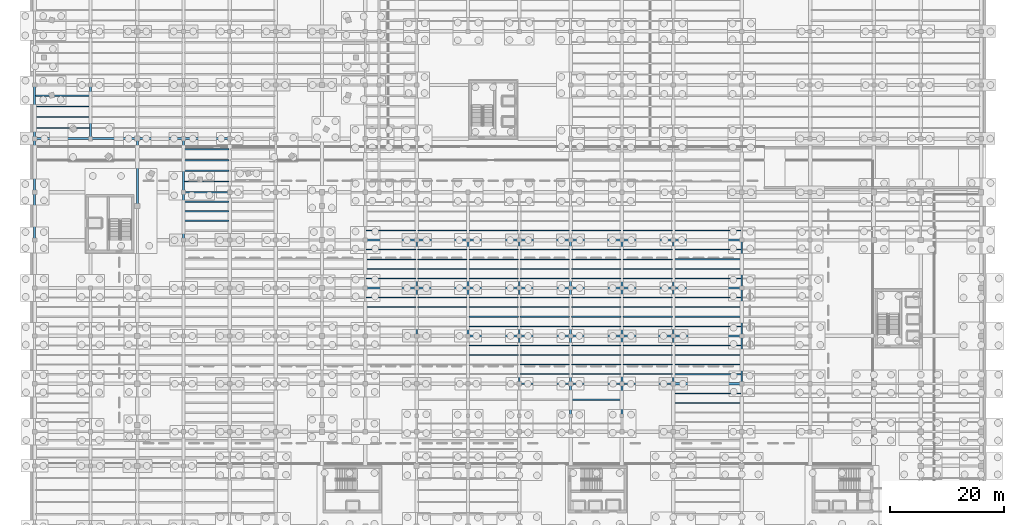
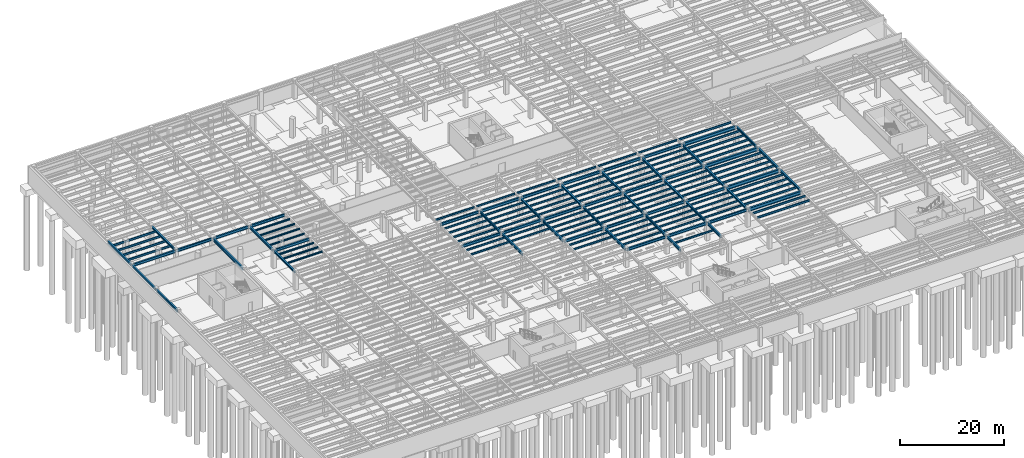
# One storey, part 22 of 49: 147 beams.
"""IFC4 building model written with IfcOpenShell, lengths in metres."""

from ifc_helpers import new_model, si_unit, direction, frame, origin, origin_2d, place, context, subcontext, project, spatial, i_section, extrude, material, material_profile, profile_set, type_object, element, save


model = new_model("IFC4")

# Units and contexts
model_context = context("Model", 3, precision=1e-05, world=origin(), true_north=direction((0.0, 1.0)))
body_context = subcontext(model_context, "Body", "Model", "MODEL_VIEW")
ifc_project = project(units=[si_unit("LENGTHUNIT", "METRE"), si_unit("AREAUNIT", "SQUARE_METRE"), si_unit("VOLUMEUNIT", "CUBIC_METRE"), si_unit("PLANEANGLEUNIT", "RADIAN"), si_unit("MASSUNIT", "GRAM", prefix="KILO")], contexts=[model_context])

# Site, building, storey
site_placement = place(None, origin())
site = spatial("IfcSite", under=ifc_project, at=site_placement, CompositionType="ELEMENT")
building_placement = place(site_placement, origin())
building = spatial("IfcBuilding", under=site, at=building_placement, Name="Sollismere Congress Hotel", CompositionType="ELEMENT")
storey_placement = place(building_placement, frame((0.0, 0.0, -4.5)))
storey = spatial("IfcBuildingStorey", under=building, at=storey_placement, Name="B1", CompositionType="ELEMENT", Elevation=-4.5)

# Beams
ifc_material = material(Name="Steel ASTM A992 Grade 50", Category="steel")
ifc_material_profile_1 = material_profile(ifc_material, i_section(OverallWidth=0.31494140625, OverallDepth=0.551025390625, WebThickness=0.01513671875, FlangeThickness=0.0244140625, at=origin_2d()), Name="W21X122")
ifc_profile_set_1 = profile_set([ifc_material_profile_1], Name="Steel ASTM A992 Grade 50")
beam_type_1 = type_object("IfcBeamType", Name="BM-G21H", PredefinedType="BEAM", material=ifc_profile_set_1)
beam_1_placement = place(storey_placement, frame((9.800048828125, 76.340087890625, 3.924560546875), z_axis=(0.0, 1.0, 0.0), x_axis=(-1.0, 0.0, 0.0)))
element("IfcBeam", 1, at=beam_1_placement, inside=storey, type_object=beam_type_1, Name="Beam BM-B1-0252", PredefinedType="BEAM", context=body_context, shape_type="SweptSolid", body=[
    extrude(i_section(OverallWidth=0.31494140625, OverallDepth=0.551025390625, WebThickness=0.01513671875, FlangeThickness=0.0244140625, at=origin_2d()), origin(), (0.0, 0.0, 1.0), 9.119873046875),
])
beam_2_placement = place(storey_placement, frame((26.10009765625, 58.5400390625, 3.924560546875), z_axis=(0.0, 1.0, 0.0), x_axis=(-1.0, 0.0, 0.0)))
element("IfcBeam", 2, at=beam_2_placement, inside=storey, type_object=beam_type_1, Name="Beam BM-B1-0275", PredefinedType="BEAM", context=body_context, shape_type="SweptSolid", body=[
    extrude(i_section(OverallWidth=0.31494140625, OverallDepth=0.551025390625, WebThickness=0.01513671875, FlangeThickness=0.0244140625, at=origin_2d()), origin(), (0.0, 0.0, 1.0), 8.119873046875),
])
beam_3_placement = place(storey_placement, frame((26.10009765625, 66.93994140625, 3.924560546875), z_axis=(0.0, 1.0, 0.0), x_axis=(-1.0, 0.0, 0.0)))
element("IfcBeam", 3, at=beam_3_placement, inside=storey, type_object=beam_type_1, Name="Beam BM-B1-0276", PredefinedType="BEAM", context=body_context, shape_type="SweptSolid", body=[
    extrude(i_section(OverallWidth=0.31494140625, OverallDepth=0.551025390625, WebThickness=0.01513671875, FlangeThickness=0.0244140625, at=origin_2d()), origin(), (0.0, 0.0, 1.0), 9.1201171875),
])
for number, where, z_axis, x_axis, name in (
    (4, (67.0, 41.739990234375, 3.924560546875), (0.0, 1.0, 0.0), (-1.0, 0.0, 0.0), "Beam BM-B1-0337"),
    (5, (67.0, 50.139892578125, 3.924560546875), (0.0, 1.0, 0.0), (-1.0, 0.0, 0.0), "Beam BM-B1-0338"),
    (6, (76.0, 41.739990234375, 3.924560546875), (0.0, 1.0, 0.0), (-1.0, 0.0, 0.0), "Beam BM-B1-0352"),
    (7, (76.0, 50.139892578125, 3.924560546875), (0.0, 1.0, 0.0), (-1.0, 0.0, 0.0), "Beam BM-B1-0353"),
):
    element("IfcBeam", number, at=place(storey_placement, frame(where, z_axis=z_axis, x_axis=x_axis)), inside=storey, type_object=beam_type_1, Name=name, PredefinedType="BEAM", context=body_context, shape_type="SweptSolid", body=[
        extrude(i_section(OverallWidth=0.31494140625, OverallDepth=0.551025390625, WebThickness=0.01513671875, FlangeThickness=0.0244140625, at=origin_2d()), origin(), (0.0, 0.0, 1.0), 8.1201171875),
    ])
beam_4_placement = place(storey_placement, frame((85.0, 33.340087890625, 3.924560546875), z_axis=(0.0, 1.0, 0.0), x_axis=(-1.0, 0.0, 0.0)))
element("IfcBeam", 8, at=beam_4_placement, inside=storey, type_object=beam_type_1, Name="Beam BM-B1-0363", PredefinedType="BEAM", context=body_context, shape_type="SweptSolid", body=[
    extrude(i_section(OverallWidth=0.31494140625, OverallDepth=0.551025390625, WebThickness=0.01513671875, FlangeThickness=0.0244140625, at=origin_2d()), origin(), (0.0, 0.0, 1.0), 8.119873046875),
])
for number, where, z_axis, x_axis, name in (
    (9, (85.0, 41.739990234375, 3.924560546875), (0.0, 1.0, 0.0), (-1.0, 0.0, 0.0), "Beam BM-B1-0364"),
    (10, (85.0, 50.139892578125, 3.924560546875), (0.0, 1.0, 0.0), (-1.0, 0.0, 0.0), "Beam BM-B1-0365"),
):
    element("IfcBeam", number, at=place(storey_placement, frame(where, z_axis=z_axis, x_axis=x_axis)), inside=storey, type_object=beam_type_1, Name=name, PredefinedType="BEAM", context=body_context, shape_type="SweptSolid", body=[
        extrude(i_section(OverallWidth=0.31494140625, OverallDepth=0.551025390625, WebThickness=0.01513671875, FlangeThickness=0.0244140625, at=origin_2d()), origin(), (0.0, 0.0, 1.0), 8.1201171875),
    ])
beam_5_placement = place(storey_placement, frame((94.0, 27.739990234375, 3.924560546875), z_axis=(0.0, 1.0, 0.0), x_axis=(-1.0, 0.0, 0.0)))
element("IfcBeam", 11, at=beam_5_placement, inside=storey, type_object=beam_type_1, Name="Beam BM-B1-0372", PredefinedType="BEAM", context=body_context, shape_type="SweptSolid", body=[
    extrude(i_section(OverallWidth=0.31494140625, OverallDepth=0.551025390625, WebThickness=0.01513671875, FlangeThickness=0.0244140625, at=origin_2d()), origin(), (0.0, 0.0, 1.0), 5.320068359375),
])
beam_6_placement = place(storey_placement, frame((94.0, 33.340087890625, 3.924560546875), z_axis=(0.0, 1.0, 0.0), x_axis=(-1.0, 0.0, 0.0)))
element("IfcBeam", 12, at=beam_6_placement, inside=storey, type_object=beam_type_1, Name="Beam BM-B1-0373", PredefinedType="BEAM", context=body_context, shape_type="SweptSolid", body=[
    extrude(i_section(OverallWidth=0.31494140625, OverallDepth=0.551025390625, WebThickness=0.01513671875, FlangeThickness=0.0244140625, at=origin_2d()), origin(), (0.0, 0.0, 1.0), 8.119873046875),
])
for number, where, z_axis, x_axis, name in (
    (13, (94.0, 41.739990234375, 3.924560546875), (0.0, 1.0, 0.0), (-1.0, 0.0, 0.0), "Beam BM-B1-0374"),
    (14, (94.0, 50.139892578125, 3.924560546875), (0.0, 1.0, 0.0), (-1.0, 0.0, 0.0), "Beam BM-B1-0375"),
):
    element("IfcBeam", number, at=place(storey_placement, frame(where, z_axis=z_axis, x_axis=x_axis)), inside=storey, type_object=beam_type_1, Name=name, PredefinedType="BEAM", context=body_context, shape_type="SweptSolid", body=[
        extrude(i_section(OverallWidth=0.31494140625, OverallDepth=0.551025390625, WebThickness=0.01513671875, FlangeThickness=0.0244140625, at=origin_2d()), origin(), (0.0, 0.0, 1.0), 8.1201171875),
    ])
beam_7_placement = place(storey_placement, frame((103.0, 27.739990234375, 3.924560546875), z_axis=(0.0, 1.0, 0.0), x_axis=(-1.0, 0.0, 0.0)))
element("IfcBeam", 15, at=beam_7_placement, inside=storey, type_object=beam_type_1, Name="Beam BM-B1-0385", PredefinedType="BEAM", context=body_context, shape_type="SweptSolid", body=[
    extrude(i_section(OverallWidth=0.31494140625, OverallDepth=0.551025390625, WebThickness=0.01513671875, FlangeThickness=0.0244140625, at=origin_2d()), origin(), (0.0, 0.0, 1.0), 5.320068359375),
])
beam_8_placement = place(storey_placement, frame((103.0, 33.340087890625, 3.924560546875), z_axis=(0.0, 1.0, 0.0), x_axis=(-1.0, 0.0, 0.0)))
element("IfcBeam", 16, at=beam_8_placement, inside=storey, type_object=beam_type_1, Name="Beam BM-B1-0386", PredefinedType="BEAM", context=body_context, shape_type="SweptSolid", body=[
    extrude(i_section(OverallWidth=0.31494140625, OverallDepth=0.551025390625, WebThickness=0.01513671875, FlangeThickness=0.0244140625, at=origin_2d()), origin(), (0.0, 0.0, 1.0), 8.119873046875),
])
for number, where, z_axis, x_axis, name in (
    (17, (103.0, 41.739990234375, 3.924560546875), (0.0, 1.0, 0.0), (-1.0, 0.0, 0.0), "Beam BM-B1-0387"),
    (18, (103.0, 50.139892578125, 3.924560546875), (0.0, 1.0, 0.0), (-1.0, 0.0, 0.0), "Beam BM-B1-0388"),
):
    element("IfcBeam", number, at=place(storey_placement, frame(where, z_axis=z_axis, x_axis=x_axis)), inside=storey, type_object=beam_type_1, Name=name, PredefinedType="BEAM", context=body_context, shape_type="SweptSolid", body=[
        extrude(i_section(OverallWidth=0.31494140625, OverallDepth=0.551025390625, WebThickness=0.01513671875, FlangeThickness=0.0244140625, at=origin_2d()), origin(), (0.0, 0.0, 1.0), 8.1201171875),
    ])
beam_9_placement = place(storey_placement, frame((112.0, 33.340087890625, 3.924560546875), z_axis=(0.0, 1.0, 0.0), x_axis=(-1.0, 0.0, 0.0)))
element("IfcBeam", 19, at=beam_9_placement, inside=storey, type_object=beam_type_1, Name="Beam BM-B1-0399", PredefinedType="BEAM", context=body_context, shape_type="SweptSolid", body=[
    extrude(i_section(OverallWidth=0.31494140625, OverallDepth=0.551025390625, WebThickness=0.01513671875, FlangeThickness=0.0244140625, at=origin_2d()), origin(), (0.0, 0.0, 1.0), 8.119873046875),
])
for number, where, z_axis, x_axis, name in (
    (20, (112.0, 41.739990234375, 3.924560546875), (0.0, 1.0, 0.0), (-1.0, 0.0, 0.0), "Beam BM-B1-0400"),
    (21, (112.0, 50.139892578125, 3.924560546875), (0.0, 1.0, 0.0), (-1.0, 0.0, 0.0), "Beam BM-B1-0401"),
):
    element("IfcBeam", number, at=place(storey_placement, frame(where, z_axis=z_axis, x_axis=x_axis)), inside=storey, type_object=beam_type_1, Name=name, PredefinedType="BEAM", context=body_context, shape_type="SweptSolid", body=[
        extrude(i_section(OverallWidth=0.31494140625, OverallDepth=0.551025390625, WebThickness=0.01513671875, FlangeThickness=0.0244140625, at=origin_2d()), origin(), (0.0, 0.0, 1.0), 8.1201171875),
    ])
beam_10_placement = place(storey_placement, frame((124.0, 33.340087890625, 3.924560546875), z_axis=(0.0, 1.0, 0.0), x_axis=(-1.0, 0.0, 0.0)))
element("IfcBeam", 22, at=beam_10_placement, inside=storey, type_object=beam_type_1, Name="Beam BM-B1-0412", PredefinedType="BEAM", context=body_context, shape_type="SweptSolid", body=[
    extrude(i_section(OverallWidth=0.31494140625, OverallDepth=0.551025390625, WebThickness=0.01513671875, FlangeThickness=0.0244140625, at=origin_2d()), origin(), (0.0, 0.0, 1.0), 8.119873046875),
])
for number, where, z_axis, x_axis, name in (
    (23, (124.0, 41.739990234375, 3.924560546875), (0.0, 1.0, 0.0), (-1.0, 0.0, 0.0), "Beam BM-B1-0413"),
    (24, (124.0, 50.139892578125, 3.924560546875), (0.0, 1.0, 0.0), (-1.0, 0.0, 0.0), "Beam BM-B1-0414"),
):
    element("IfcBeam", number, at=place(storey_placement, frame(where, z_axis=z_axis, x_axis=x_axis)), inside=storey, type_object=beam_type_1, Name=name, PredefinedType="BEAM", context=body_context, shape_type="SweptSolid", body=[
        extrude(i_section(OverallWidth=0.31494140625, OverallDepth=0.551025390625, WebThickness=0.01513671875, FlangeThickness=0.0244140625, at=origin_2d()), origin(), (0.0, 0.0, 1.0), 8.1201171875),
    ])
ifc_material_profile_2 = material_profile(ifc_material, i_section(OverallWidth=0.324951171875, OverallDepth=0.612060546875, WebThickness=0.0126953125, FlangeThickness=0.01904296875, at=origin_2d()), Name="W24X104")
ifc_profile_set_2 = profile_set([ifc_material_profile_2], Name="Steel ASTM A992 Grade 50")
beam_type_2 = type_object("IfcBeamType", Name="BM-G24", PredefinedType="BEAM", material=ifc_profile_set_2)
for number, where, z_axis, x_axis, name in (
    (25, (85.139892578125, 33.199951171875, 3.89404296875), (1.0, 0.0, 0.0), (0.0, 1.0, 0.0), "Beam BM-B1-0074"),
    (26, (94.139892578125, 33.199951171875, 3.89404296875), (1.0, 0.0, 0.0), (0.0, 1.0, 0.0), "Beam BM-B1-0075"),
    (27, (103.139892578125, 33.199951171875, 3.89404296875), (1.0, 0.0, 0.0), (0.0, 1.0, 0.0), "Beam BM-B1-0076"),
    (28, (76.139892578125, 41.60009765625, 3.89404296875), (1.0, 0.0, 0.0), (0.0, 1.0, 0.0), "Beam BM-B1-0091"),
    (29, (85.139892578125, 41.60009765625, 3.89404296875), (1.0, 0.0, 0.0), (0.0, 1.0, 0.0), "Beam BM-B1-0092"),
    (30, (94.139892578125, 41.60009765625, 3.89404296875), (1.0, 0.0, 0.0), (0.0, 1.0, 0.0), "Beam BM-B1-0093"),
    (31, (103.139892578125, 41.60009765625, 3.89404296875), (1.0, 0.0, 0.0), (0.0, 1.0, 0.0), "Beam BM-B1-0094"),
    (32, (58.139892578125, 50.0, 3.89404296875), (1.0, 0.0, 0.0), (0.0, 1.0, 0.0), "Beam BM-B1-0104"),
    (33, (67.139892578125, 50.0, 3.89404296875), (1.0, 0.0, 0.0), (0.0, 1.0, 0.0), "Beam BM-B1-0105"),
    (34, (76.139892578125, 50.0, 3.89404296875), (1.0, 0.0, 0.0), (0.0, 1.0, 0.0), "Beam BM-B1-0106"),
    (35, (85.139892578125, 50.0, 3.89404296875), (1.0, 0.0, 0.0), (0.0, 1.0, 0.0), "Beam BM-B1-0107"),
    (36, (94.139892578125, 50.0, 3.89404296875), (1.0, 0.0, 0.0), (0.0, 1.0, 0.0), "Beam BM-B1-0108"),
    (37, (103.139892578125, 50.0, 3.89404296875), (1.0, 0.0, 0.0), (0.0, 1.0, 0.0), "Beam BM-B1-0109"),
    (38, (58.139892578125, 58.39990234375, 3.89404296875), (1.0, 0.0, 0.0), (0.0, 1.0, 0.0), "Beam BM-B1-0116"),
    (39, (67.139892578125, 58.39990234375, 3.89404296875), (1.0, 0.0, 0.0), (0.0, 1.0, 0.0), "Beam BM-B1-0117"),
    (40, (76.139892578125, 58.39990234375, 3.89404296875), (1.0, 0.0, 0.0), (0.0, 1.0, 0.0), "Beam BM-B1-0118"),
    (41, (85.139892578125, 58.39990234375, 3.89404296875), (1.0, 0.0, 0.0), (0.0, 1.0, 0.0), "Beam BM-B1-0119"),
    (42, (94.139892578125, 58.39990234375, 3.89404296875), (1.0, 0.0, 0.0), (0.0, 1.0, 0.0), "Beam BM-B1-0120"),
    (43, (103.139892578125, 58.39990234375, 3.89404296875), (1.0, 0.0, 0.0), (0.0, 1.0, 0.0), "Beam BM-B1-0121"),
):
    element("IfcBeam", number, at=place(storey_placement, frame(where, z_axis=z_axis, x_axis=x_axis)), inside=storey, type_object=beam_type_2, Name=name, PredefinedType="BEAM", context=body_context, shape_type="SweptSolid", body=[
        extrude(i_section(OverallWidth=0.324951171875, OverallDepth=0.612060546875, WebThickness=0.0126953125, FlangeThickness=0.01904296875, at=origin_2d()), origin(), (0.0, 0.0, 1.0), 8.72021484375),
    ])
beam_11_placement = place(storey_placement, frame((26.239990234375, 66.800048828125, 3.89404296875), z_axis=(1.0, 0.0, 0.0), x_axis=(0.0, 1.0, 0.0)))
element("IfcBeam", 44, at=beam_11_placement, inside=storey, type_object=beam_type_2, Name="Beam BM-B1-0127", PredefinedType="BEAM", context=body_context, shape_type="SweptSolid", body=[
    extrude(i_section(OverallWidth=0.324951171875, OverallDepth=0.612060546875, WebThickness=0.0126953125, FlangeThickness=0.01904296875, at=origin_2d()), origin(), (0.0, 0.0, 1.0), 7.820068359375),
])
beam_12_placement = place(storey_placement, frame((0.139892578125, 76.199951171875, 3.89404296875), z_axis=(1.0, 0.0, 0.0), x_axis=(0.0, 1.0, 0.0)))
element("IfcBeam", 45, at=beam_12_placement, inside=storey, type_object=beam_type_2, Name="Beam BM-B1-0143", PredefinedType="BEAM", context=body_context, shape_type="SweptSolid", body=[
    extrude(i_section(OverallWidth=0.324951171875, OverallDepth=0.612060546875, WebThickness=0.0126953125, FlangeThickness=0.01904296875, at=origin_2d()), origin(), (0.0, 0.0, 1.0), 9.52001953125),
])
beam_13_placement = place(storey_placement, frame((9.93994140625, 76.199951171875, 3.89404296875), z_axis=(1.0, 0.0, 0.0), x_axis=(0.0, 1.0, 0.0)))
element("IfcBeam", 46, at=beam_13_placement, inside=storey, type_object=beam_type_2, Name="Beam BM-B1-0144", PredefinedType="BEAM", context=body_context, shape_type="SweptSolid", body=[
    extrude(i_section(OverallWidth=0.324951171875, OverallDepth=0.612060546875, WebThickness=0.0126953125, FlangeThickness=0.01904296875, at=origin_2d()), origin(), (0.0, 0.0, 1.0), 7.920166015625),
])
for number, where, z_axis, x_axis, name in (
    (47, (18.139892578125, 76.199951171875, 3.89404296875), (1.0, 0.0, 0.0), (0.0, 1.0, 0.0), "Beam BM-B1-0145"),
    (48, (26.239990234375, 76.199951171875, 3.89404296875), (1.0, 0.0, 0.0), (0.0, 1.0, 0.0), "Beam BM-B1-0146"),
):
    element("IfcBeam", number, at=place(storey_placement, frame(where, z_axis=z_axis, x_axis=x_axis)), inside=storey, type_object=beam_type_2, Name=name, PredefinedType="BEAM", context=body_context, shape_type="SweptSolid", body=[
        extrude(i_section(OverallWidth=0.324951171875, OverallDepth=0.612060546875, WebThickness=0.0126953125, FlangeThickness=0.01904296875, at=origin_2d()), origin(), (0.0, 0.0, 1.0), 7.820068359375),
    ])
ifc_material_profile_3 = material_profile(ifc_material, i_section(OverallWidth=0.35595703125, OverallDepth=0.696044921875, WebThickness=0.015380859375, FlangeThickness=0.025146484375, at=origin_2d()), Name="W27X146")
ifc_profile_set_3 = profile_set([ifc_material_profile_3], Name="Steel ASTM A992 Grade 50")
beam_type_3 = type_object("IfcBeamType", Name="BM-G27", PredefinedType="BEAM", material=ifc_profile_set_3)
beam_14_placement = place(storey_placement, frame((18.0, 64.5400390625, 3.85205078125), z_axis=(0.0, 1.0, 0.0), x_axis=(-1.0, 0.0, 0.0)))
element("IfcBeam", 49, at=beam_14_placement, inside=storey, type_object=beam_type_3, Name="Beam BM-B1-0263", PredefinedType="BEAM", context=body_context, shape_type="SweptSolid", body=[
    extrude(i_section(OverallWidth=0.35595703125, OverallDepth=0.696044921875, WebThickness=0.015380859375, FlangeThickness=0.025146484375, at=origin_2d()), origin(), (0.0, 0.0, 1.0), 11.52001953125),
])
ifc_material_profile_4 = material_profile(ifc_material, i_section(OverallWidth=0.384033203125, OverallDepth=0.787109375, WebThickness=0.019775390625, FlangeThickness=0.033447265625, at=origin_2d()), Name="W30X211")
ifc_profile_set_4 = profile_set([ifc_material_profile_4], Name="Steel ASTM A992 Grade 50")
beam_type_4 = type_object("IfcBeamType", Name="BM-G30", PredefinedType="BEAM", material=ifc_profile_set_4)
for number, where, z_axis, x_axis, name in (
    (50, (112.139892578125, 33.199951171875, 3.806396484375), (1.0, 0.0, 0.0), (0.0, 1.0, 0.0), "Beam BM-B1-0077"),
    (51, (112.139892578125, 41.60009765625, 3.806396484375), (1.0, 0.0, 0.0), (0.0, 1.0, 0.0), "Beam BM-B1-0095"),
    (52, (112.139892578125, 50.0, 3.806396484375), (1.0, 0.0, 0.0), (0.0, 1.0, 0.0), "Beam BM-B1-0110"),
    (53, (112.139892578125, 58.39990234375, 3.806396484375), (1.0, 0.0, 0.0), (0.0, 1.0, 0.0), "Beam BM-B1-0122"),
):
    element("IfcBeam", number, at=place(storey_placement, frame(where, z_axis=z_axis, x_axis=x_axis)), inside=storey, type_object=beam_type_4, Name=name, PredefinedType="BEAM", context=body_context, shape_type="SweptSolid", body=[
        extrude(i_section(OverallWidth=0.384033203125, OverallDepth=0.787109375, WebThickness=0.019775390625, FlangeThickness=0.033447265625, at=origin_2d()), origin(), (0.0, 0.0, 1.0), 11.72021484375),
    ])
ifc_material_profile_5 = material_profile(ifc_material, i_section(OverallWidth=0.25390625, OverallDepth=0.35595703125, WebThickness=0.010498046875, FlangeThickness=0.018310546875, at=origin_2d()), Name="W14X68")
ifc_profile_set_5 = profile_set([ifc_material_profile_5], Name="Steel ASTM A992 Grade 50")
beam_type_5 = type_object("IfcBeamType", Name="BM-J14", PredefinedType="JOIST", material=ifc_profile_set_5)
for number, where, z_axis, x_axis, name in (
    (54, (26.257568359375, 61.760009765625, 4.02197265625), (1.0, 0.0, 0.0), (0.0, 1.0, 0.0), "Beam BM-B1-0597"),
    (55, (26.257568359375, 63.43994140625, 4.02197265625), (1.0, 0.0, 0.0), (0.0, 1.0, 0.0), "Beam BM-B1-0598"),
    (56, (26.257568359375, 65.1201171875, 4.02197265625), (1.0, 0.0, 0.0), (0.0, 1.0, 0.0), "Beam BM-B1-0599"),
    (57, (26.257568359375, 68.679931640625, 4.02197265625), (1.0, 0.0, 0.0), (0.0, 1.0, 0.0), "Beam BM-B1-0600"),
    (58, (26.257568359375, 70.56005859375, 4.02197265625), (1.0, 0.0, 0.0), (0.0, 1.0, 0.0), "Beam BM-B1-0601"),
    (59, (26.257568359375, 72.43994140625, 4.02197265625), (1.0, 0.0, 0.0), (0.0, 1.0, 0.0), "Beam BM-B1-0602"),
    (60, (26.257568359375, 74.320068359375, 4.02197265625), (1.0, 0.0, 0.0), (0.0, 1.0, 0.0), "Beam BM-B1-0603"),
):
    element("IfcBeam", number, at=place(storey_placement, frame(where, z_axis=z_axis, x_axis=x_axis)), inside=storey, type_object=beam_type_5, Name=name, PredefinedType="JOIST", context=body_context, shape_type="SweptSolid", body=[
        extrude(i_section(OverallWidth=0.25390625, OverallDepth=0.35595703125, WebThickness=0.010498046875, FlangeThickness=0.018310546875, at=origin_2d()), origin(), (0.0, 0.0, 1.0), 7.784912109375),
    ])
ifc_material_profile_6 = material_profile(ifc_material, i_section(OverallWidth=0.180908203125, OverallDepth=0.4169921875, WebThickness=0.010986328125, FlangeThickness=0.018310546875, at=origin_2d()), Name="W16X57")
ifc_profile_set_6 = profile_set([ifc_material_profile_6], Name="Steel ASTM A992 Grade 50")
beam_type_6 = type_object("IfcBeamType", Name="BM-J16", PredefinedType="JOIST", material=ifc_profile_set_6)
for number, where, z_axis, x_axis, name in (
    (61, (58.157470703125, 46.639892578125, 3.991455078125), (1.0, 0.0, 0.0), (0.0, 1.0, 0.0), "Beam BM-B1-0721"),
    (62, (58.157470703125, 48.320068359375, 3.991455078125), (1.0, 0.0, 0.0), (0.0, 1.0, 0.0), "Beam BM-B1-0722"),
    (63, (58.157470703125, 51.679931640625, 3.991455078125), (1.0, 0.0, 0.0), (0.0, 1.0, 0.0), "Beam BM-B1-0723"),
    (64, (58.157470703125, 53.360107421875, 3.991455078125), (1.0, 0.0, 0.0), (0.0, 1.0, 0.0), "Beam BM-B1-0724"),
    (65, (58.157470703125, 55.0400390625, 3.991455078125), (1.0, 0.0, 0.0), (0.0, 1.0, 0.0), "Beam BM-B1-0725"),
    (66, (58.157470703125, 56.719970703125, 3.991455078125), (1.0, 0.0, 0.0), (0.0, 1.0, 0.0), "Beam BM-B1-0726"),
    (67, (58.157470703125, 60.080078125, 3.991455078125), (1.0, 0.0, 0.0), (0.0, 1.0, 0.0), "Beam BM-B1-0727"),
    (68, (67.157470703125, 46.639892578125, 3.991455078125), (1.0, 0.0, 0.0), (0.0, 1.0, 0.0), "Beam BM-B1-0782"),
    (69, (67.157470703125, 48.320068359375, 3.991455078125), (1.0, 0.0, 0.0), (0.0, 1.0, 0.0), "Beam BM-B1-0783"),
    (70, (67.157470703125, 51.679931640625, 3.991455078125), (1.0, 0.0, 0.0), (0.0, 1.0, 0.0), "Beam BM-B1-0784"),
    (71, (67.157470703125, 53.360107421875, 3.991455078125), (1.0, 0.0, 0.0), (0.0, 1.0, 0.0), "Beam BM-B1-0785"),
    (72, (67.157470703125, 55.0400390625, 3.991455078125), (1.0, 0.0, 0.0), (0.0, 1.0, 0.0), "Beam BM-B1-0786"),
    (73, (67.157470703125, 56.719970703125, 3.991455078125), (1.0, 0.0, 0.0), (0.0, 1.0, 0.0), "Beam BM-B1-0787"),
    (74, (67.157470703125, 60.080078125, 3.991455078125), (1.0, 0.0, 0.0), (0.0, 1.0, 0.0), "Beam BM-B1-0788"),
    (75, (76.157470703125, 38.239990234375, 3.991455078125), (1.0, 0.0, 0.0), (0.0, 1.0, 0.0), "Beam BM-B1-0815"),
    (76, (76.157470703125, 39.919921875, 3.991455078125), (1.0, 0.0, 0.0), (0.0, 1.0, 0.0), "Beam BM-B1-0816"),
    (77, (76.157470703125, 43.280029296875, 3.991455078125), (1.0, 0.0, 0.0), (0.0, 1.0, 0.0), "Beam BM-B1-0817"),
    (78, (76.157470703125, 44.9599609375, 3.991455078125), (1.0, 0.0, 0.0), (0.0, 1.0, 0.0), "Beam BM-B1-0818"),
    (79, (76.157470703125, 46.639892578125, 3.991455078125), (1.0, 0.0, 0.0), (0.0, 1.0, 0.0), "Beam BM-B1-0819"),
    (80, (76.157470703125, 48.320068359375, 3.991455078125), (1.0, 0.0, 0.0), (0.0, 1.0, 0.0), "Beam BM-B1-0820"),
    (81, (76.157470703125, 51.679931640625, 3.991455078125), (1.0, 0.0, 0.0), (0.0, 1.0, 0.0), "Beam BM-B1-0821"),
    (82, (76.157470703125, 53.360107421875, 3.991455078125), (1.0, 0.0, 0.0), (0.0, 1.0, 0.0), "Beam BM-B1-0822"),
    (83, (76.157470703125, 55.0400390625, 3.991455078125), (1.0, 0.0, 0.0), (0.0, 1.0, 0.0), "Beam BM-B1-0823"),
    (84, (76.157470703125, 56.719970703125, 3.991455078125), (1.0, 0.0, 0.0), (0.0, 1.0, 0.0), "Beam BM-B1-0824"),
    (85, (76.157470703125, 60.080078125, 3.991455078125), (1.0, 0.0, 0.0), (0.0, 1.0, 0.0), "Beam BM-B1-0825"),
    (86, (85.157470703125, 34.8798828125, 3.991455078125), (1.0, 0.0, 0.0), (0.0, 1.0, 0.0), "Beam BM-B1-0843"),
    (87, (85.157470703125, 36.56005859375, 3.991455078125), (1.0, 0.0, 0.0), (0.0, 1.0, 0.0), "Beam BM-B1-0844"),
    (88, (85.157470703125, 38.239990234375, 3.991455078125), (1.0, 0.0, 0.0), (0.0, 1.0, 0.0), "Beam BM-B1-0845"),
    (89, (85.157470703125, 39.919921875, 3.991455078125), (1.0, 0.0, 0.0), (0.0, 1.0, 0.0), "Beam BM-B1-0846"),
    (90, (85.157470703125, 43.280029296875, 3.991455078125), (1.0, 0.0, 0.0), (0.0, 1.0, 0.0), "Beam BM-B1-0847"),
    (91, (85.157470703125, 44.9599609375, 3.991455078125), (1.0, 0.0, 0.0), (0.0, 1.0, 0.0), "Beam BM-B1-0848"),
    (92, (85.157470703125, 46.639892578125, 3.991455078125), (1.0, 0.0, 0.0), (0.0, 1.0, 0.0), "Beam BM-B1-0849"),
    (93, (85.157470703125, 48.320068359375, 3.991455078125), (1.0, 0.0, 0.0), (0.0, 1.0, 0.0), "Beam BM-B1-0850"),
    (94, (85.157470703125, 51.679931640625, 3.991455078125), (1.0, 0.0, 0.0), (0.0, 1.0, 0.0), "Beam BM-B1-0851"),
    (95, (85.157470703125, 53.360107421875, 3.991455078125), (1.0, 0.0, 0.0), (0.0, 1.0, 0.0), "Beam BM-B1-0852"),
    (96, (85.157470703125, 55.0400390625, 3.991455078125), (1.0, 0.0, 0.0), (0.0, 1.0, 0.0), "Beam BM-B1-0853"),
    (97, (85.157470703125, 56.719970703125, 3.991455078125), (1.0, 0.0, 0.0), (0.0, 1.0, 0.0), "Beam BM-B1-0854"),
    (98, (85.157470703125, 60.080078125, 3.991455078125), (1.0, 0.0, 0.0), (0.0, 1.0, 0.0), "Beam BM-B1-0855"),
    (99, (94.157470703125, 30.39990234375, 3.991455078125), (1.0, 0.0, 0.0), (0.0, 1.0, 0.0), "Beam BM-B1-0872"),
    (100, (94.157470703125, 34.8798828125, 3.991455078125), (1.0, 0.0, 0.0), (0.0, 1.0, 0.0), "Beam BM-B1-0873"),
    (101, (94.157470703125, 36.56005859375, 3.991455078125), (1.0, 0.0, 0.0), (0.0, 1.0, 0.0), "Beam BM-B1-0874"),
    (102, (94.157470703125, 38.239990234375, 3.991455078125), (1.0, 0.0, 0.0), (0.0, 1.0, 0.0), "Beam BM-B1-0875"),
    (103, (94.157470703125, 39.919921875, 3.991455078125), (1.0, 0.0, 0.0), (0.0, 1.0, 0.0), "Beam BM-B1-0876"),
    (104, (94.157470703125, 43.280029296875, 3.991455078125), (1.0, 0.0, 0.0), (0.0, 1.0, 0.0), "Beam BM-B1-0877"),
    (105, (94.157470703125, 44.9599609375, 3.991455078125), (1.0, 0.0, 0.0), (0.0, 1.0, 0.0), "Beam BM-B1-0878"),
    (106, (94.157470703125, 46.639892578125, 3.991455078125), (1.0, 0.0, 0.0), (0.0, 1.0, 0.0), "Beam BM-B1-0879"),
    (107, (94.157470703125, 48.320068359375, 3.991455078125), (1.0, 0.0, 0.0), (0.0, 1.0, 0.0), "Beam BM-B1-0880"),
    (108, (94.157470703125, 51.679931640625, 3.991455078125), (1.0, 0.0, 0.0), (0.0, 1.0, 0.0), "Beam BM-B1-0881"),
    (109, (94.157470703125, 53.360107421875, 3.991455078125), (1.0, 0.0, 0.0), (0.0, 1.0, 0.0), "Beam BM-B1-0882"),
    (110, (94.157470703125, 55.0400390625, 3.991455078125), (1.0, 0.0, 0.0), (0.0, 1.0, 0.0), "Beam BM-B1-0883"),
    (111, (94.157470703125, 56.719970703125, 3.991455078125), (1.0, 0.0, 0.0), (0.0, 1.0, 0.0), "Beam BM-B1-0884"),
    (112, (94.157470703125, 60.080078125, 3.991455078125), (1.0, 0.0, 0.0), (0.0, 1.0, 0.0), "Beam BM-B1-0885"),
    (113, (103.157470703125, 34.8798828125, 3.991455078125), (1.0, 0.0, 0.0), (0.0, 1.0, 0.0), "Beam BM-B1-0912"),
    (114, (103.157470703125, 36.56005859375, 3.991455078125), (1.0, 0.0, 0.0), (0.0, 1.0, 0.0), "Beam BM-B1-0913"),
    (115, (103.157470703125, 38.239990234375, 3.991455078125), (1.0, 0.0, 0.0), (0.0, 1.0, 0.0), "Beam BM-B1-0914"),
    (116, (103.157470703125, 39.919921875, 3.991455078125), (1.0, 0.0, 0.0), (0.0, 1.0, 0.0), "Beam BM-B1-0915"),
    (117, (103.157470703125, 43.280029296875, 3.991455078125), (1.0, 0.0, 0.0), (0.0, 1.0, 0.0), "Beam BM-B1-0916"),
    (118, (103.157470703125, 44.9599609375, 3.991455078125), (1.0, 0.0, 0.0), (0.0, 1.0, 0.0), "Beam BM-B1-0917"),
    (119, (103.157470703125, 46.639892578125, 3.991455078125), (1.0, 0.0, 0.0), (0.0, 1.0, 0.0), "Beam BM-B1-0918"),
    (120, (103.157470703125, 48.320068359375, 3.991455078125), (1.0, 0.0, 0.0), (0.0, 1.0, 0.0), "Beam BM-B1-0919"),
    (121, (103.157470703125, 51.679931640625, 3.991455078125), (1.0, 0.0, 0.0), (0.0, 1.0, 0.0), "Beam BM-B1-0920"),
    (122, (103.157470703125, 53.360107421875, 3.991455078125), (1.0, 0.0, 0.0), (0.0, 1.0, 0.0), "Beam BM-B1-0921"),
    (123, (103.157470703125, 55.0400390625, 3.991455078125), (1.0, 0.0, 0.0), (0.0, 1.0, 0.0), "Beam BM-B1-0922"),
    (124, (103.157470703125, 56.719970703125, 3.991455078125), (1.0, 0.0, 0.0), (0.0, 1.0, 0.0), "Beam BM-B1-0923"),
    (125, (103.157470703125, 60.080078125, 3.991455078125), (1.0, 0.0, 0.0), (0.0, 1.0, 0.0), "Beam BM-B1-0924"),
):
    element("IfcBeam", number, at=place(storey_placement, frame(where, z_axis=z_axis, x_axis=x_axis)), inside=storey, type_object=beam_type_6, Name=name, PredefinedType="JOIST", context=body_context, shape_type="SweptSolid", body=[
        extrude(i_section(OverallWidth=0.180908203125, OverallDepth=0.4169921875, WebThickness=0.010986328125, FlangeThickness=0.018310546875, at=origin_2d()), origin(), (0.0, 0.0, 1.0), 8.68505859375),
    ])
ifc_material_profile_7 = material_profile(ifc_material, i_section(OverallWidth=0.193115234375, OverallDepth=0.467041015625, WebThickness=0.011474609375, FlangeThickness=0.01904296875, at=origin_2d()), Name="W18X65")
ifc_profile_set_7 = profile_set([ifc_material_profile_7], Name="Steel ASTM A992 Grade 50")
beam_type_7 = type_object("IfcBeamType", Name="BM-J18", PredefinedType="JOIST", material=ifc_profile_set_7)
for number, where, z_axis, x_axis, name in (
    (126, (0.1650390625, 78.080078125, 3.966552734375), (1.0, 0.0, 0.0), (0.0, 1.0, 0.0), "Beam BM-B1-0483"),
    (127, (0.1650390625, 79.9599609375, 3.966552734375), (1.0, 0.0, 0.0), (0.0, 1.0, 0.0), "Beam BM-B1-0484"),
    (128, (0.1650390625, 81.840087890625, 3.966552734375), (1.0, 0.0, 0.0), (0.0, 1.0, 0.0), "Beam BM-B1-0485"),
    (129, (0.1650390625, 83.719970703125, 3.966552734375), (1.0, 0.0, 0.0), (0.0, 1.0, 0.0), "Beam BM-B1-0486"),
):
    element("IfcBeam", number, at=place(storey_placement, frame(where, z_axis=z_axis, x_axis=x_axis)), inside=storey, type_object=beam_type_7, Name=name, PredefinedType="JOIST", context=body_context, shape_type="SweptSolid", body=[
        extrude(i_section(OverallWidth=0.193115234375, OverallDepth=0.467041015625, WebThickness=0.011474609375, FlangeThickness=0.01904296875, at=origin_2d()), origin(), (0.0, 0.0, 1.0), 9.4775390625),
    ])
for number, where, z_axis, x_axis, name in (
    (130, (112.157470703125, 29.840087890625, 3.966552734375), (1.0, 0.0, 0.0), (0.0, 1.0, 0.0), "Beam BM-B1-0960"),
    (131, (112.157470703125, 31.52001953125, 3.966552734375), (1.0, 0.0, 0.0), (0.0, 1.0, 0.0), "Beam BM-B1-0961"),
    (132, (112.157470703125, 34.8798828125, 3.966552734375), (1.0, 0.0, 0.0), (0.0, 1.0, 0.0), "Beam BM-B1-0962"),
    (133, (112.157470703125, 36.56005859375, 3.966552734375), (1.0, 0.0, 0.0), (0.0, 1.0, 0.0), "Beam BM-B1-0963"),
    (134, (112.157470703125, 38.239990234375, 3.966552734375), (1.0, 0.0, 0.0), (0.0, 1.0, 0.0), "Beam BM-B1-0964"),
    (135, (112.157470703125, 39.919921875, 3.966552734375), (1.0, 0.0, 0.0), (0.0, 1.0, 0.0), "Beam BM-B1-0965"),
    (136, (112.157470703125, 43.280029296875, 3.966552734375), (1.0, 0.0, 0.0), (0.0, 1.0, 0.0), "Beam BM-B1-0966"),
    (137, (112.157470703125, 44.9599609375, 3.966552734375), (1.0, 0.0, 0.0), (0.0, 1.0, 0.0), "Beam BM-B1-0967"),
    (138, (112.157470703125, 46.639892578125, 3.966552734375), (1.0, 0.0, 0.0), (0.0, 1.0, 0.0), "Beam BM-B1-0968"),
    (139, (112.157470703125, 48.320068359375, 3.966552734375), (1.0, 0.0, 0.0), (0.0, 1.0, 0.0), "Beam BM-B1-0969"),
    (140, (112.157470703125, 51.679931640625, 3.966552734375), (1.0, 0.0, 0.0), (0.0, 1.0, 0.0), "Beam BM-B1-0970"),
    (141, (112.157470703125, 53.360107421875, 3.966552734375), (1.0, 0.0, 0.0), (0.0, 1.0, 0.0), "Beam BM-B1-0971"),
    (142, (112.157470703125, 55.0400390625, 3.966552734375), (1.0, 0.0, 0.0), (0.0, 1.0, 0.0), "Beam BM-B1-0972"),
    (143, (112.157470703125, 56.719970703125, 3.966552734375), (1.0, 0.0, 0.0), (0.0, 1.0, 0.0), "Beam BM-B1-0973"),
    (144, (112.157470703125, 60.080078125, 3.966552734375), (1.0, 0.0, 0.0), (0.0, 1.0, 0.0), "Beam BM-B1-0974"),
):
    element("IfcBeam", number, at=place(storey_placement, frame(where, z_axis=z_axis, x_axis=x_axis)), inside=storey, type_object=beam_type_7, Name=name, PredefinedType="JOIST", context=body_context, shape_type="SweptSolid", body=[
        extrude(i_section(OverallWidth=0.193115234375, OverallDepth=0.467041015625, WebThickness=0.011474609375, FlangeThickness=0.01904296875, at=origin_2d()), origin(), (0.0, 0.0, 1.0), 11.68505859375),
    ])
ifc_material_profile_8 = material_profile(ifc_material, i_section(OverallWidth=0.330078125, OverallDepth=0.635009765625, WebThickness=0.017822265625, FlangeThickness=0.031005859375, at=origin_2d()), Name="W24X162")
ifc_profile_set_8 = profile_set([ifc_material_profile_8], Name="Steel ASTM A992 Grade 50")
beam_type_8 = type_object("IfcBeamType", Name="BM-SP24E", PredefinedType="SPANDREL", material=ifc_profile_set_8)
beam_15_placement = place(storey_placement, frame((0.0, 58.5400390625, 3.882568359375), z_axis=(0.0, 1.0, 0.0), x_axis=(-1.0, 0.0, 0.0)))
element("IfcBeam", 145, at=beam_15_placement, inside=storey, type_object=beam_type_8, Name="Beam BM-B1-0240", PredefinedType="SPANDREL", context=body_context, shape_type="SweptSolid", body=[
    extrude(i_section(OverallWidth=0.330078125, OverallDepth=0.635009765625, WebThickness=0.017822265625, FlangeThickness=0.031005859375, at=origin_2d()), origin(), (0.0, 0.0, 1.0), 8.119873046875),
])
beam_16_placement = place(storey_placement, frame((0.0, 66.93994140625, 3.882568359375), z_axis=(0.0, 1.0, 0.0), x_axis=(-1.0, 0.0, 0.0)))
element("IfcBeam", 146, at=beam_16_placement, inside=storey, type_object=beam_type_8, Name="Beam BM-B1-0241", PredefinedType="SPANDREL", context=body_context, shape_type="SweptSolid", body=[
    extrude(i_section(OverallWidth=0.330078125, OverallDepth=0.635009765625, WebThickness=0.017822265625, FlangeThickness=0.031005859375, at=origin_2d()), origin(), (0.0, 0.0, 1.0), 9.1201171875),
])
beam_17_placement = place(storey_placement, frame((0.0, 76.340087890625, 3.882568359375), z_axis=(0.0, 1.0, 0.0), x_axis=(-1.0, 0.0, 0.0)))
element("IfcBeam", 147, at=beam_17_placement, inside=storey, type_object=beam_type_8, Name="Beam BM-B1-0242", PredefinedType="SPANDREL", context=body_context, shape_type="SweptSolid", body=[
    extrude(i_section(OverallWidth=0.330078125, OverallDepth=0.635009765625, WebThickness=0.017822265625, FlangeThickness=0.031005859375, at=origin_2d()), origin(), (0.0, 0.0, 1.0), 9.119873046875),
])

save(model, "model.ifc")
